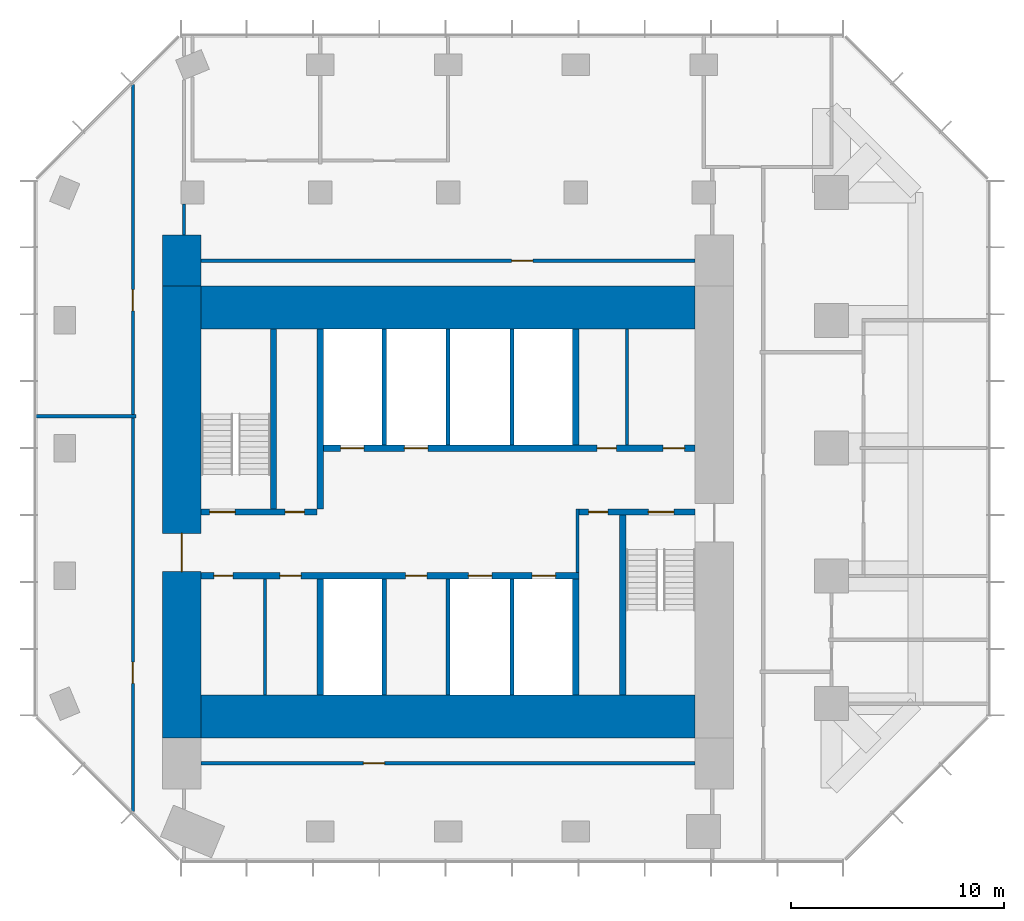
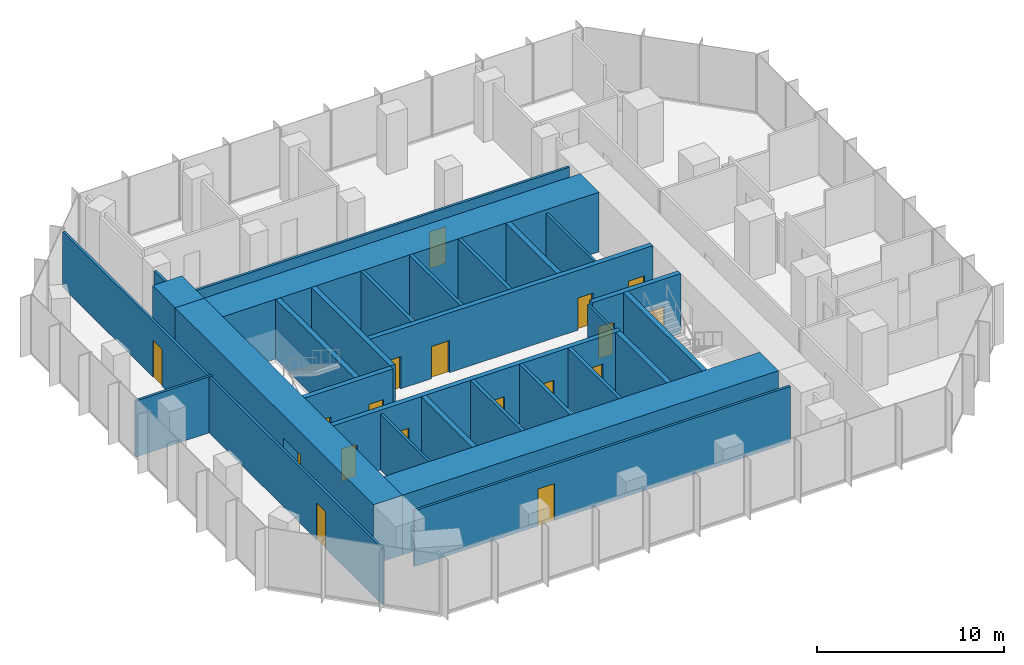
# One storey, part 8 of 11: 29 walls, 18 doors, 18 openings.
"""IFC4 building model written with IfcOpenShell, lengths in metres."""

from ifc_helpers import new_model, si_unit, direction, frame, frame_2d, origin, place, context, subcontext, project, spatial, rectangle, extrude, material, layer, layer_set, type_object, element, fill, save


model = new_model("IFC4")

# Units and contexts
model_context = context("Model", 3, precision=1e-05, world=origin(), true_north=direction((0.0, 1.0)))
body_context = subcontext(model_context, "Body", "Model", "MODEL_VIEW")
ifc_project = project(units=[si_unit("LENGTHUNIT", "METRE"), si_unit("AREAUNIT", "SQUARE_METRE"), si_unit("VOLUMEUNIT", "CUBIC_METRE"), si_unit("PLANEANGLEUNIT", "RADIAN"), si_unit("MASSUNIT", "GRAM", prefix="KILO")], contexts=[model_context])

# Site, building, storey
site_placement = place(None, origin())
site = spatial("IfcSite", under=ifc_project, at=site_placement, CompositionType="ELEMENT")
building_placement = place(site_placement, origin())
building = spatial("IfcBuilding", under=site, at=building_placement, Name="Highveld Stack Headquarters", CompositionType="ELEMENT")
storey_placement = place(building_placement, frame((0.0, 0.0, 260.60009765625)))
storey = spatial("IfcBuildingStorey", under=building, at=storey_placement, Name="L64", CompositionType="ELEMENT", Elevation=260.60009765625)

# Wall, opening, door
ifc_material_1 = material(Name="Concrete C60/75", Category="concrete")
ifc_layer_1 = layer(ifc_material_1, 1.800048828125)
ifc_layer_set_1 = layer_set([ifc_layer_1], Name="Concrete C60/75")
wall_type_1 = type_object("IfcWallType", Name="CORE WALL 1800 C60/75", PredefinedType="SHEAR", material=ifc_layer_set_1)
wall_1_placement = place(storey_placement, frame((-6.5, -7.60009765625, 0.0), z_axis=(0.0, 0.0, 1.0), x_axis=(0.0, 1.0, 0.0)))
wall_1 = element("IfcWall", 1, at=wall_1_placement, inside=storey, type_object=wall_type_1, Name="Core wall W L64", PredefinedType="SHEAR", context=body_context, shape_type="SweptSolid", body=[
    extrude(rectangle(XDim=21.2001953125, YDim=1.800048828125, at=frame_2d((10.60009765625, 0.0))), origin(), (0.0, 0.0, 1.0), 3.89990234375),
])
opening_1_placement = place(wall_1_placement, frame((7.800048828125, 0.0, 0.0)))
opening_1 = element("IfcOpeningElement", 2, at=opening_1_placement, cuts=wall_1, Name="Opening L64-01", PredefinedType="OPENING", context=body_context, shape_type="SweptSolid", body=[
    extrude(rectangle(XDim=1.800048828125, YDim=2.39990234375, at=frame_2d((0.89990234375, 1.199951171875))), frame((0.0, 0.909912109375, 0.0), z_axis=(0.0, -1.0, 0.0), x_axis=(1.0, 0.0, 0.0)), (0.0, 0.0, 1.0), 1.820068359375),
])
ifc_material_2 = material(Name="Steel fire door", Category="steel")
door_type_1 = type_object("IfcDoorType", Name="LOBBY FIRE DOOR D4 1800x2400", OperationType="DOUBLE_DOOR_SINGLE_SWING", PredefinedType="DOOR", material=ifc_material_2)
door_1_placement = place(opening_1_placement, origin())
door_1 = element("IfcDoor", 3, at=door_1_placement, inside=storey, type_object=door_type_1, Name="Core west door L64", OperationType="DOUBLE_DOOR_SINGLE_SWING", OverallHeight=2.39990234375, OverallWidth=1.800048828125, PredefinedType="DOOR", context=body_context, shape_type="SweptSolid", body=[
    extrude(rectangle(XDim=1.800048828125, YDim=2.39990234375, at=frame_2d((0.89990234375, 1.199951171875))), frame((0.0, 0.02490234375, 0.0), z_axis=(0.0, -1.0, 0.0), x_axis=(1.0, 0.0, 0.0)), (0.0, 0.0, 1.0), 0.050048828125),
])
fill(opening_1, door_1)

# Walls
ifc_material_3 = material(Name="Concrete C60/75", Category="concrete")
ifc_layer_2 = layer(ifc_material_3, 2.0)
ifc_layer_set_2 = layer_set([ifc_layer_2], Name="Concrete C60/75")
wall_type_2 = type_object("IfcWallType", Name="CORE WALL 2000 C60/75", PredefinedType="SHEAR", material=ifc_layer_set_2)
for number, where, z_axis, x_axis, name in (
    (4, (-5.60009765625, -6.60009765625, 0.0), (0.0, 0.0, 1.0), (1.0, 0.0, 0.0), "Core wall S L64"),
    (5, (-5.60009765625, 12.60009765625, 0.0), (0.0, 0.0, 1.0), (1.0, 0.0, 0.0), "Core wall N L64"),
):
    element("IfcWall", number, at=place(storey_placement, frame(where, z_axis=z_axis, x_axis=x_axis)), inside=storey, type_object=wall_type_2, Name=name, PredefinedType="SHEAR", context=body_context, shape_type="SweptSolid", body=[
        extrude(rectangle(XDim=23.2001953125, YDim=2.0, at=frame_2d((11.60009765625, 0.0))), origin(), (0.0, 0.0, 1.0), 3.89990234375),
    ])

# Wall, openings, doors
ifc_material_4 = material(Name="Concrete C60/75", Category="concrete")
ifc_layer_3 = layer(ifc_material_4, 0.300048828125)
ifc_layer_set_3 = layer_set([ifc_layer_3], Name="Concrete C60/75")
wall_type_3 = type_object("IfcWallType", Name="CORE WALL 300 C60/75", PredefinedType="SHEAR", material=ifc_layer_set_3)
wall_2_placement = place(storey_placement, frame((-5.60009765625, 0.0, 0.0), z_axis=(0.0, 0.0, 1.0), x_axis=(1.0, 0.0, 0.0)))
wall_2 = element("IfcWall", 6, at=wall_2_placement, inside=storey, type_object=wall_type_3, Name="Core wall I-Y0 L64", PredefinedType="SHEAR", context=body_context, shape_type="SweptSolid", body=[
    extrude(rectangle(XDim=17.75, YDim=0.300048828125, at=frame_2d((8.875, 0.0))), origin(), (0.0, 0.0, 1.0), 3.89990234375),
])
opening_2_placement = place(wall_2_placement, frame((0.60009765625, 0.0, 0.0)))
opening_2 = element("IfcOpeningElement", 7, at=opening_2_placement, cuts=wall_2, Name="Opening L64-07", PredefinedType="OPENING", context=body_context, shape_type="SweptSolid", body=[
    extrude(rectangle(XDim=0.89990234375, YDim=2.10009765625, at=frame_2d((0.449951171875, 1.050048828125))), frame((0.0, 0.159912109375, 0.0), z_axis=(0.0, -1.0, 0.0), x_axis=(1.0, 0.0, 0.0)), (0.0, 0.0, 1.0), 0.320068359375),
])
opening_3_placement = place(wall_2_placement, frame((3.699951171875, 0.0, 0.0)))
opening_3 = element("IfcOpeningElement", 8, at=opening_3_placement, cuts=wall_2, Name="Opening L64-08", PredefinedType="OPENING", context=body_context, shape_type="SweptSolid", body=[
    extrude(rectangle(XDim=1.0, YDim=2.10009765625, at=frame_2d((0.5, 1.050048828125))), frame((0.0, 0.159912109375, 0.0), z_axis=(0.0, -1.0, 0.0), x_axis=(1.0, 0.0, 0.0)), (0.0, 0.0, 1.0), 0.320068359375),
])
opening_4_placement = place(wall_2_placement, frame((9.60009765625, 0.0, 0.0)))
opening_4 = element("IfcOpeningElement", 9, at=opening_4_placement, cuts=wall_2, Name="Opening L64-11", PredefinedType="OPENING", context=body_context, shape_type="SweptSolid", body=[
    extrude(rectangle(XDim=1.0, YDim=2.10009765625, at=frame_2d((0.5, 1.050048828125))), frame((0.0, 0.159912109375, 0.0), z_axis=(0.0, -1.0, 0.0), x_axis=(1.0, 0.0, 0.0)), (0.0, 0.0, 1.0), 0.320068359375),
])
opening_5_placement = place(wall_2_placement, frame((12.550048828125, 0.0, 0.0)))
opening_5 = element("IfcOpeningElement", 10, at=opening_5_placement, cuts=wall_2, Name="Opening LD", PredefinedType="OPENING", context=body_context, shape_type="SweptSolid", body=[
    extrude(rectangle(XDim=1.10009765625, YDim=2.10009765625, at=frame_2d((0.550048828125, 1.050048828125))), frame((0.0, 0.159912109375, 0.0), z_axis=(0.0, -1.0, 0.0), x_axis=(1.0, 0.0, 0.0)), (0.0, 0.0, 1.0), 0.320068359375),
])
opening_6_placement = place(wall_2_placement, frame((15.550048828125, 0.0, 0.0)))
opening_6 = element("IfcOpeningElement", 11, at=opening_6_placement, cuts=wall_2, Name="Opening LD", PredefinedType="OPENING", context=body_context, shape_type="SweptSolid", body=[
    extrude(rectangle(XDim=1.10009765625, YDim=2.10009765625, at=frame_2d((0.550048828125, 1.050048828125))), frame((0.0, 0.159912109375, 0.0), z_axis=(0.0, -1.0, 0.0), x_axis=(1.0, 0.0, 0.0)), (0.0, 0.0, 1.0), 0.320068359375),
])
ifc_material_5 = material(Name="Steel fire door", Category="steel")
door_type_2 = type_object("IfcDoorType", Name="CORE ROOM FIRE DOOR D14 1000x2100", OperationType="SINGLE_SWING_LEFT", PredefinedType="DOOR", material=ifc_material_5)
door_2_placement = place(opening_3_placement, origin())
door_2 = element("IfcDoor", 12, at=door_2_placement, inside=storey, type_object=door_type_2, Name="Cleaners store door L64", OperationType="SINGLE_SWING_LEFT", OverallHeight=2.10009765625, OverallWidth=1.0, PredefinedType="DOOR", context=body_context, shape_type="SweptSolid", body=[
    extrude(rectangle(XDim=1.0, YDim=2.10009765625, at=frame_2d((0.5, 1.050048828125))), frame((0.0, 0.02490234375, 0.0), z_axis=(0.0, -1.0, 0.0), x_axis=(1.0, 0.0, 0.0)), (0.0, 0.0, 1.0), 0.050048828125),
])
fill(opening_3, door_2)
door_3_placement = place(opening_4_placement, origin())
door_3 = element("IfcDoor", 13, at=door_3_placement, inside=storey, type_object=door_type_2, Name="Capped B 1 door L64", OperationType="SINGLE_SWING_RIGHT", OverallHeight=2.10009765625, OverallWidth=1.0, PredefinedType="DOOR", context=body_context, shape_type="SweptSolid", body=[
    extrude(rectangle(XDim=1.0, YDim=2.10009765625, at=frame_2d((0.5, 1.050048828125))), frame((0.0, 0.02490234375, 0.0), z_axis=(0.0, -1.0, 0.0), x_axis=(1.0, 0.0, 0.0)), (0.0, 0.0, 1.0), 0.050048828125),
])
fill(opening_4, door_3)
ifc_material_6 = material(Name="Stainless steel lift landing door", Category="steel")
door_type_3 = type_object("IfcDoorType", Name="LIFT LANDING DOOR LD 1100x2100", OperationType="DOUBLE_DOOR_SLIDING", PredefinedType="USERDEFINED", material=ifc_material_6)
door_4_placement = place(opening_5_placement, origin())
door_4 = element("IfcDoor", 14, at=door_4_placement, inside=storey, type_object=door_type_3, Name="Lift landing door C1 L64", ObjectType="LIFT LANDING DOOR", OperationType="DOUBLE_DOOR_SLIDING", OverallHeight=2.10009765625, OverallWidth=1.10009765625, PredefinedType="USERDEFINED", context=body_context, shape_type="SweptSolid", body=[
    extrude(rectangle(XDim=1.10009765625, YDim=2.10009765625, at=frame_2d((0.550048828125, 1.050048828125))), frame((0.0, 0.02490234375, 0.0), z_axis=(0.0, -1.0, 0.0), x_axis=(1.0, 0.0, 0.0)), (0.0, 0.0, 1.0), 0.050048828125),
])
fill(opening_5, door_4)
door_5_placement = place(opening_6_placement, origin())
door_5 = element("IfcDoor", 15, at=door_5_placement, inside=storey, type_object=door_type_3, Name="Lift landing door C2 L64", ObjectType="LIFT LANDING DOOR", OperationType="DOUBLE_DOOR_SLIDING", OverallHeight=2.10009765625, OverallWidth=1.10009765625, PredefinedType="USERDEFINED", context=body_context, shape_type="SweptSolid", body=[
    extrude(rectangle(XDim=1.10009765625, YDim=2.10009765625, at=frame_2d((0.550048828125, 1.050048828125))), frame((0.0, 0.02490234375, 0.0), z_axis=(0.0, -1.0, 0.0), x_axis=(1.0, 0.0, 0.0)), (0.0, 0.0, 1.0), 0.050048828125),
])
fill(opening_6, door_5)
ifc_material_7 = material(Name="Timber door, painted", Category="wood")
door_type_4 = type_object("IfcDoorType", Name="WC DOOR D1 900x2100", OperationType="SINGLE_SWING_LEFT", PredefinedType="DOOR", material=ifc_material_7)
door_6_placement = place(opening_2_placement, origin())
door_6 = element("IfcDoor", 16, at=door_6_placement, inside=storey, type_object=door_type_4, Name="Female WC door L64", OperationType="SINGLE_SWING_LEFT", OverallHeight=2.10009765625, OverallWidth=0.89990234375, PredefinedType="DOOR", context=body_context, shape_type="SweptSolid", body=[
    extrude(rectangle(XDim=0.89990234375, YDim=2.10009765625, at=frame_2d((0.449951171875, 1.050048828125))), frame((0.0, 0.02490234375, 0.0), z_axis=(0.0, -1.0, 0.0), x_axis=(1.0, 0.0, 0.0)), (0.0, 0.0, 1.0), 0.050048828125),
])
fill(opening_2, door_6)

wall_3_placement = place(storey_placement, frame((-5.60009765625, 3.0, 0.0), z_axis=(0.0, 0.0, 1.0), x_axis=(1.0, 0.0, 0.0)))
wall_3 = element("IfcWall", 17, at=wall_3_placement, inside=storey, type_object=wall_type_3, Name="Core wall I-Y3W L64", PredefinedType="SHEAR", context=body_context, shape_type="SweptSolid", body=[
    extrude(rectangle(XDim=5.4501953125, YDim=0.300048828125, at=frame_2d((2.72509765625, 0.0))), origin(), (0.0, 0.0, 1.0), 3.89990234375),
])
opening_7_placement = place(wall_3_placement, frame((0.39990234375, 0.0, 0.0)))
opening_7 = element("IfcOpeningElement", 18, at=opening_7_placement, cuts=wall_3, Name="Opening L64-03", PredefinedType="OPENING", context=body_context, shape_type="SweptSolid", body=[
    extrude(rectangle(XDim=1.199951171875, YDim=2.10009765625, at=frame_2d((0.60009765625, 1.050048828125))), frame((0.0, 0.159912109375, 0.0), z_axis=(0.0, -1.0, 0.0), x_axis=(1.0, 0.0, 0.0)), (0.0, 0.0, 1.0), 0.320068359375),
])
opening_8_placement = place(wall_3_placement, frame((3.949951171875, 0.0, 0.0)))
opening_8 = element("IfcOpeningElement", 19, at=opening_8_placement, cuts=wall_3, Name="Opening L64-04", PredefinedType="OPENING", context=body_context, shape_type="SweptSolid", body=[
    extrude(rectangle(XDim=0.89990234375, YDim=2.10009765625, at=frame_2d((0.449951171875, 1.050048828125))), frame((0.0, 0.159912109375, 0.0), z_axis=(0.0, -1.0, 0.0), x_axis=(1.0, 0.0, 0.0)), (0.0, 0.0, 1.0), 0.320068359375),
])
ifc_material_8 = material(Name="Steel fire door", Category="steel")
door_type_5 = type_object("IfcDoorType", Name="RISER ACCESS DOOR D5 900x2100", OperationType="SINGLE_SWING_LEFT", PredefinedType="DOOR", material=ifc_material_8)
door_7_placement = place(opening_8_placement, origin())
door_7 = element("IfcDoor", 20, at=door_7_placement, inside=storey, type_object=door_type_5, Name="Riser R1 door L64", OperationType="SINGLE_SWING_RIGHT", OverallHeight=2.10009765625, OverallWidth=0.89990234375, PredefinedType="DOOR", context=body_context, shape_type="SweptSolid", body=[
    extrude(rectangle(XDim=0.89990234375, YDim=2.10009765625, at=frame_2d((0.449951171875, 1.050048828125))), frame((0.0, 0.02490234375, 0.0), z_axis=(0.0, -1.0, 0.0), x_axis=(1.0, 0.0, 0.0)), (0.0, 0.0, 1.0), 0.050048828125),
])
fill(opening_8, door_7)
ifc_material_9 = material(Name="Steel fire door", Category="steel")
door_type_6 = type_object("IfcDoorType", Name="STAIR FIRE DOOR D3 1200x2100", OperationType="SINGLE_SWING_LEFT", PredefinedType="DOOR", material=ifc_material_9)
door_8_placement = place(opening_7_placement, origin())
door_8 = element("IfcDoor", 21, at=door_8_placement, inside=storey, type_object=door_type_6, Name="Stair S1 door L64", OperationType="SINGLE_SWING_LEFT", OverallHeight=2.10009765625, OverallWidth=1.199951171875, PredefinedType="DOOR", context=body_context, shape_type="SweptSolid", body=[
    extrude(rectangle(XDim=1.199951171875, YDim=2.10009765625, at=frame_2d((0.60009765625, 1.050048828125))), frame((0.0, 0.02490234375, 0.0), z_axis=(0.0, -1.0, 0.0), x_axis=(1.0, 0.0, 0.0)), (0.0, 0.0, 1.0), 0.050048828125),
])
fill(opening_7, door_8)

wall_4_placement = place(storey_placement, frame((12.14990234375, 3.0, 0.0), z_axis=(0.0, 0.0, 1.0), x_axis=(1.0, 0.0, 0.0)))
wall_4 = element("IfcWall", 22, at=wall_4_placement, inside=storey, type_object=wall_type_3, Name="Core wall I-Y3E L64", PredefinedType="SHEAR", context=body_context, shape_type="SweptSolid", body=[
    extrude(rectangle(XDim=5.4501953125, YDim=0.300048828125, at=frame_2d((2.72509765625, 0.0))), origin(), (0.0, 0.0, 1.0), 3.89990234375),
])
opening_9_placement = place(wall_4_placement, frame((3.25, 0.0, 0.0)))
opening_9 = element("IfcOpeningElement", 23, at=opening_9_placement, cuts=wall_4, Name="Opening L64-05", PredefinedType="OPENING", context=body_context, shape_type="SweptSolid", body=[
    extrude(rectangle(XDim=1.199951171875, YDim=2.10009765625, at=frame_2d((0.60009765625, 1.050048828125))), frame((0.0, 0.159912109375, 0.0), z_axis=(0.0, -1.0, 0.0), x_axis=(1.0, 0.0, 0.0)), (0.0, 0.0, 1.0), 0.320068359375),
])
opening_10_placement = place(wall_4_placement, frame((0.449951171875, 0.0, 0.0)))
opening_10 = element("IfcOpeningElement", 24, at=opening_10_placement, cuts=wall_4, Name="Opening L64-06", PredefinedType="OPENING", context=body_context, shape_type="SweptSolid", body=[
    extrude(rectangle(XDim=0.89990234375, YDim=2.10009765625, at=frame_2d((0.449951171875, 1.050048828125))), frame((0.0, 0.159912109375, 0.0), z_axis=(0.0, -1.0, 0.0), x_axis=(1.0, 0.0, 0.0)), (0.0, 0.0, 1.0), 0.320068359375),
])
door_9_placement = place(opening_10_placement, origin())
door_9 = element("IfcDoor", 25, at=door_9_placement, inside=storey, type_object=door_type_5, Name="Riser R2 door L64", OperationType="SINGLE_SWING_LEFT", OverallHeight=2.10009765625, OverallWidth=0.89990234375, PredefinedType="DOOR", context=body_context, shape_type="SweptSolid", body=[
    extrude(rectangle(XDim=0.89990234375, YDim=2.10009765625, at=frame_2d((0.449951171875, 1.050048828125))), frame((0.0, 0.02490234375, 0.0), z_axis=(0.0, -1.0, 0.0), x_axis=(1.0, 0.0, 0.0)), (0.0, 0.0, 1.0), 0.050048828125),
])
fill(opening_10, door_9)
door_10_placement = place(opening_9_placement, origin())
door_10 = element("IfcDoor", 26, at=door_10_placement, inside=storey, type_object=door_type_6, Name="Stair S2 door L64", OperationType="SINGLE_SWING_RIGHT", OverallHeight=2.10009765625, OverallWidth=1.199951171875, PredefinedType="DOOR", context=body_context, shape_type="SweptSolid", body=[
    extrude(rectangle(XDim=1.199951171875, YDim=2.10009765625, at=frame_2d((0.60009765625, 1.050048828125))), frame((0.0, 0.02490234375, 0.0), z_axis=(0.0, -1.0, 0.0), x_axis=(1.0, 0.0, 0.0)), (0.0, 0.0, 1.0), 0.050048828125),
])
fill(opening_9, door_10)

wall_5_placement = place(storey_placement, frame((-0.14990234375, 6.0, 0.0), z_axis=(0.0, 0.0, 1.0), x_axis=(1.0, 0.0, 0.0)))
wall_5 = element("IfcWall", 27, at=wall_5_placement, inside=storey, type_object=wall_type_3, Name="Core wall I-Y6 L64", PredefinedType="SHEAR", context=body_context, shape_type="SweptSolid", body=[
    extrude(rectangle(XDim=17.75, YDim=0.300048828125, at=frame_2d((8.875, 0.0))), origin(), (0.0, 0.0, 1.0), 3.89990234375),
])
opening_11_placement = place(wall_5_placement, frame((13.14990234375, 0.0, 0.0)))
opening_11 = element("IfcOpeningElement", 28, at=opening_11_placement, cuts=wall_5, Name="Opening L64-09", PredefinedType="OPENING", context=body_context, shape_type="SweptSolid", body=[
    extrude(rectangle(XDim=0.89990234375, YDim=2.10009765625, at=frame_2d((0.449951171875, 1.050048828125))), frame((0.0, 0.159912109375, 0.0), z_axis=(0.0, -1.0, 0.0), x_axis=(1.0, 0.0, 0.0)), (0.0, 0.0, 1.0), 0.320068359375),
])
opening_12_placement = place(wall_5_placement, frame((16.25, 0.0, 0.0)))
opening_12 = element("IfcOpeningElement", 29, at=opening_12_placement, cuts=wall_5, Name="Opening L64-10", PredefinedType="OPENING", context=body_context, shape_type="SweptSolid", body=[
    extrude(rectangle(XDim=1.0, YDim=2.10009765625, at=frame_2d((0.5, 1.050048828125))), frame((0.0, 0.159912109375, 0.0), z_axis=(0.0, -1.0, 0.0), x_axis=(1.0, 0.0, 0.0)), (0.0, 0.0, 1.0), 0.320068359375),
])
opening_13_placement = place(wall_5_placement, frame((1.10009765625, 0.0, 0.0)))
opening_13 = element("IfcOpeningElement", 30, at=opening_13_placement, cuts=wall_5, Name="Opening LD", PredefinedType="OPENING", context=body_context, shape_type="SweptSolid", body=[
    extrude(rectangle(XDim=1.10009765625, YDim=2.10009765625, at=frame_2d((0.550048828125, 1.050048828125))), frame((0.0, 0.159912109375, 0.0), z_axis=(0.0, -1.0, 0.0), x_axis=(1.0, 0.0, 0.0)), (0.0, 0.0, 1.0), 0.320068359375),
])
opening_14_placement = place(wall_5_placement, frame((4.10009765625, 0.0, 0.0)))
opening_14 = element("IfcOpeningElement", 31, at=opening_14_placement, cuts=wall_5, Name="Opening LD", PredefinedType="OPENING", context=body_context, shape_type="SweptSolid", body=[
    extrude(rectangle(XDim=1.10009765625, YDim=2.10009765625, at=frame_2d((0.550048828125, 1.050048828125))), frame((0.0, 0.159912109375, 0.0), z_axis=(0.0, -1.0, 0.0), x_axis=(1.0, 0.0, 0.0)), (0.0, 0.0, 1.0), 0.320068359375),
])
ifc_material_10 = material(Name="Timber door, painted", Category="wood")
door_type_7 = type_object("IfcDoorType", Name="ACCESSIBLE WC DOOR D2 1000x2100", OperationType="SINGLE_SWING_RIGHT", PredefinedType="DOOR", material=ifc_material_10)
door_11_placement = place(opening_12_placement, origin())
door_11 = element("IfcDoor", 32, at=door_11_placement, inside=storey, type_object=door_type_7, Name="Accessible WC door L64", OperationType="SINGLE_SWING_RIGHT", OverallHeight=2.10009765625, OverallWidth=1.0, PredefinedType="DOOR", context=body_context, shape_type="SweptSolid", body=[
    extrude(rectangle(XDim=1.0, YDim=2.10009765625, at=frame_2d((0.5, 1.050048828125))), frame((0.0, 0.02490234375, 0.0), z_axis=(0.0, -1.0, 0.0), x_axis=(1.0, 0.0, 0.0)), (0.0, 0.0, 1.0), 0.050048828125),
])
fill(opening_12, door_11)
door_12_placement = place(opening_13_placement, origin())
door_12 = element("IfcDoor", 33, at=door_12_placement, inside=storey, type_object=door_type_3, Name="Lift landing door FF1 L64", ObjectType="LIFT LANDING DOOR", OperationType="DOUBLE_DOOR_SLIDING", OverallHeight=2.10009765625, OverallWidth=1.10009765625, PredefinedType="USERDEFINED", context=body_context, shape_type="SweptSolid", body=[
    extrude(rectangle(XDim=1.10009765625, YDim=2.10009765625, at=frame_2d((0.550048828125, 1.050048828125))), frame((0.0, 0.02490234375, 0.0), z_axis=(0.0, -1.0, 0.0), x_axis=(1.0, 0.0, 0.0)), (0.0, 0.0, 1.0), 0.050048828125),
])
fill(opening_13, door_12)
door_13_placement = place(opening_14_placement, origin())
door_13 = element("IfcDoor", 34, at=door_13_placement, inside=storey, type_object=door_type_3, Name="Lift landing door FF2 L64", ObjectType="LIFT LANDING DOOR", OperationType="DOUBLE_DOOR_SLIDING", OverallHeight=2.10009765625, OverallWidth=1.10009765625, PredefinedType="USERDEFINED", context=body_context, shape_type="SweptSolid", body=[
    extrude(rectangle(XDim=1.10009765625, YDim=2.10009765625, at=frame_2d((0.550048828125, 1.050048828125))), frame((0.0, 0.02490234375, 0.0), z_axis=(0.0, -1.0, 0.0), x_axis=(1.0, 0.0, 0.0)), (0.0, 0.0, 1.0), 0.050048828125),
])
fill(opening_14, door_13)
door_14_placement = place(opening_11_placement, origin())
door_14 = element("IfcDoor", 35, at=door_14_placement, inside=storey, type_object=door_type_4, Name="Male WC door L64", OperationType="SINGLE_SWING_RIGHT", OverallHeight=2.10009765625, OverallWidth=0.89990234375, PredefinedType="DOOR", context=body_context, shape_type="SweptSolid", body=[
    extrude(rectangle(XDim=0.89990234375, YDim=2.10009765625, at=frame_2d((0.449951171875, 1.050048828125))), frame((0.0, 0.02490234375, 0.0), z_axis=(0.0, -1.0, 0.0), x_axis=(1.0, 0.0, 0.0)), (0.0, 0.0, 1.0), 0.050048828125),
])
fill(opening_11, door_14)

# Walls
wall_6_placement = place(storey_placement, frame((0.0, -5.60009765625, 0.0), z_axis=(0.0, 0.0, 1.0), x_axis=(0.0, 1.0, 0.0)))
element("IfcWall", 36, at=wall_6_placement, inside=storey, type_object=wall_type_3, Name="Core wall I-X0S L64", PredefinedType="SHEAR", context=body_context, shape_type="SweptSolid", body=[
    extrude(rectangle(XDim=5.4501953125, YDim=0.300048828125, at=frame_2d((2.72509765625, 0.0))), origin(), (0.0, 0.0, 1.0), 3.89990234375),
])
wall_7_placement = place(storey_placement, frame((0.0, 3.14990234375, 0.0), z_axis=(0.0, 0.0, 1.0), x_axis=(0.0, 1.0, 0.0)))
element("IfcWall", 37, at=wall_7_placement, inside=storey, type_object=wall_type_3, Name="Core wall I-X0N L64", PredefinedType="SHEAR", context=body_context, shape_type="SweptSolid", body=[
    extrude(rectangle(XDim=8.4501953125, YDim=0.300048828125, at=frame_2d((4.22509765625, 0.0))), origin(), (0.0, 0.0, 1.0), 3.89990234375),
])
for number, where, z_axis, x_axis, name in (
    (38, (12.0, -5.60009765625, 0.0), (0.0, 0.0, 1.0), (0.0, 1.0, 0.0), "Core wall I-X12S L64"),
    (39, (12.0, 6.14990234375, 0.0), (0.0, 0.0, 1.0), (0.0, 1.0, 0.0), "Core wall I-X12N L64"),
):
    element("IfcWall", number, at=place(storey_placement, frame(where, z_axis=z_axis, x_axis=x_axis)), inside=storey, type_object=wall_type_3, Name=name, PredefinedType="SHEAR", context=body_context, shape_type="SweptSolid", body=[
        extrude(rectangle(XDim=5.4501953125, YDim=0.300048828125, at=frame_2d((2.72509765625, 0.0))), origin(), (0.0, 0.0, 1.0), 3.89990234375),
    ])
for number, where, z_axis, x_axis, name in (
    (40, (-2.199951171875, 3.14990234375, 0.0), (0.0, 0.0, 1.0), (0.0, 1.0, 0.0), "Core wall I-RW L64"),
    (41, (14.199951171875, -5.60009765625, 0.0), (0.0, 0.0, 1.0), (0.0, 1.0, 0.0), "Core wall I-RE L64"),
):
    element("IfcWall", number, at=place(storey_placement, frame(where, z_axis=z_axis, x_axis=x_axis)), inside=storey, type_object=wall_type_3, Name=name, PredefinedType="SHEAR", context=body_context, shape_type="SweptSolid", body=[
        extrude(rectangle(XDim=8.4501953125, YDim=0.300048828125, at=frame_2d((4.22509765625, 0.0))), origin(), (0.0, 0.0, 1.0), 3.89990234375),
    ])
ifc_material_11 = material(Name="Concrete C60/75", Category="concrete")
ifc_layer_4 = layer(ifc_material_11, 1.800048828125)
ifc_layer_set_4 = layer_set([ifc_layer_4], Name="Concrete C60/75")
wall_type_4 = type_object("IfcWallType", Name="CORE WING WALL 1800 C60/75", PredefinedType="SHEAR", material=ifc_layer_set_4)
wall_8_placement = place(storey_placement, frame((-6.5, 13.60009765625, 0.0), z_axis=(0.0, 0.0, 1.0), x_axis=(0.0, 1.0, 0.0)))
element("IfcWall", 42, at=wall_8_placement, inside=storey, type_object=wall_type_4, Name="Core wing wall WN L64", PredefinedType="SHEAR", context=body_context, shape_type="SweptSolid", body=[
    extrude(rectangle(XDim=2.39990234375, YDim=1.800048828125, at=frame_2d((1.199951171875, 0.0))), origin(), (0.0, 0.0, 1.0), 3.89990234375),
])
ifc_material_12 = material(Name="Concrete blockwork, plastered", Category="masonry")
ifc_layer_5 = layer(ifc_material_12, 0.14990234375)
ifc_layer_set_5 = layer_set([ifc_layer_5], Name="Concrete blockwork, plastered")
wall_type_5 = type_object("IfcWallType", Name="FIRE PARTITION 150 BLOCKWORK", PredefinedType="PARTITIONING", material=ifc_layer_set_5)
wall_9_placement = place(storey_placement, frame((12.074951171875, 0.14990234375, 0.0), z_axis=(0.0, 0.0, 1.0), x_axis=(0.0, 1.0, 0.0)))
element("IfcWall", 43, at=wall_9_placement, inside=storey, type_object=wall_type_5, Name="Riser R2 enclosure L64", PredefinedType="PARTITIONING", context=body_context, shape_type="SweptSolid", body=[
    extrude(rectangle(XDim=3.0, YDim=0.14990234375, at=frame_2d((1.5, 0.0))), origin(), (0.0, 0.0, 1.0), 3.64990234375),
])
ifc_material_13 = material(Name="Concrete blockwork, fair-faced", Category="masonry")
ifc_layer_6 = layer(ifc_material_13, 0.199951171875)
ifc_layer_set_6 = layer_set([ifc_layer_6], Name="Concrete blockwork, fair-faced")
wall_type_6 = type_object("IfcWallType", Name="LIFT SHAFT ENCLOSURE WALL 200 BLOCKWORK", PredefinedType="SOLIDWALL", material=ifc_layer_set_6)
for number, where, z_axis, x_axis, name in (
    (44, (3.0, 6.14990234375, 0.0), (0.0, 0.0, 1.0), (0.0, 1.0, 0.0), "Lift shaft wall L64"),
    (45, (6.0, 6.14990234375, 0.0), (0.0, 0.0, 1.0), (0.0, 1.0, 0.0), "Lift shaft wall L64"),
    (46, (9.0, 6.14990234375, 0.0), (0.0, 0.0, 1.0), (0.0, 1.0, 0.0), "Lift shaft wall L64"),
    (47, (3.0, -5.60009765625, 0.0), (0.0, 0.0, 1.0), (0.0, 1.0, 0.0), "Lift shaft wall L64"),
    (48, (6.0, -5.60009765625, 0.0), (0.0, 0.0, 1.0), (0.0, 1.0, 0.0), "Lift shaft wall L64"),
    (49, (9.0, -5.60009765625, 0.0), (0.0, 0.0, 1.0), (0.0, 1.0, 0.0), "Lift shaft wall L64"),
):
    element("IfcWall", number, at=place(storey_placement, frame(where, z_axis=z_axis, x_axis=x_axis)), inside=storey, type_object=wall_type_6, Name=name, PredefinedType="SOLIDWALL", context=body_context, shape_type="SweptSolid", body=[
        extrude(rectangle(XDim=5.4501953125, YDim=0.199951171875, at=frame_2d((2.72509765625, 0.0))), origin(), (0.0, 0.0, 1.0), 3.89990234375),
    ])
ifc_material_14 = material(Name="Gypsum plasterboard on steel studs", Category="steel")
ifc_layer_7 = layer(ifc_material_14, 0.14990234375)
ifc_layer_set_7 = layer_set([ifc_layer_7], Name="Gypsum plasterboard on steel studs")
wall_type_7 = type_object("IfcWallType", Name="PARTITION 150 PLASTERBOARD", PredefinedType="PARTITIONING", material=ifc_layer_set_7)
wall_10_placement = place(storey_placement, frame((-13.375, 7.5, 0.0), z_axis=(0.0, 0.0, 1.0), x_axis=(1.0, 0.0, 0.0)))
element("IfcWall", 50, at=wall_10_placement, inside=storey, type_object=wall_type_7, Name="Partition office neighbourhood L64", PredefinedType="PARTITIONING", context=body_context, shape_type="SweptSolid", body=[
    extrude(rectangle(XDim=4.72509765625, YDim=0.14990234375, at=frame_2d((2.362548828125, 0.0))), origin(), (0.0, 0.0, 1.0), 3.64990234375),
])

# Wall, opening, door
wall_11_placement = place(storey_placement, frame((-8.800048828125, -11.06298828125, 0.0), z_axis=(0.0, 0.0, 1.0), x_axis=(0.0, 1.0, 0.0)))
wall_11 = element("IfcWall", 51, at=wall_11_placement, inside=storey, type_object=wall_type_7, Name="Partition office neighbourhood L64", PredefinedType="PARTITIONING", context=body_context, shape_type="SweptSolid", body=[
    extrude(rectangle(XDim=18.488037109375, YDim=0.14990234375, at=frame_2d((9.244140625, 0.0))), origin(), (0.0, 0.0, 1.0), 3.64990234375),
])
opening_15_placement = place(wall_11_placement, frame((6.012939453125, 0.0, 0.0)))
opening_15 = element("IfcOpeningElement", 52, at=opening_15_placement, cuts=wall_11, Name="Opening L64-21", PredefinedType="OPENING", context=body_context, shape_type="SweptSolid", body=[
    extrude(rectangle(XDim=1.0, YDim=2.39990234375, at=frame_2d((0.5, 1.199951171875))), frame((0.0, 0.0849609375, 0.0), z_axis=(0.0, -1.0, 0.0), x_axis=(1.0, 0.0, 0.0)), (0.0, 0.0, 1.0), 0.169921875),
])
ifc_material_15 = material(Name="Timber door, oiled ash", Category="wood")
door_type_8 = type_object("IfcDoorType", Name="ROOM DOOR D11 1000x2400", OperationType="SINGLE_SWING_LEFT", PredefinedType="DOOR", material=ifc_material_15)
door_15_placement = place(opening_15_placement, origin())
door_15 = element("IfcDoor", 53, at=door_15_placement, inside=storey, type_object=door_type_8, Name="Office neighbourhood door L64", OperationType="SINGLE_SWING_LEFT", OverallHeight=2.39990234375, OverallWidth=1.0, PredefinedType="DOOR", context=body_context, shape_type="SweptSolid", body=[
    extrude(rectangle(XDim=1.0, YDim=2.39990234375, at=frame_2d((0.5, 1.199951171875))), frame((0.0, 0.02490234375, 0.0), z_axis=(0.0, -1.0, 0.0), x_axis=(1.0, 0.0, 0.0)), (0.0, 0.0, 1.0), 0.050048828125),
])
fill(opening_15, door_15)

wall_12_placement = place(storey_placement, frame((-8.800048828125, 7.574951171875, 0.0), z_axis=(0.0, 0.0, 1.0), x_axis=(0.0, 1.0, 0.0)))
wall_12 = element("IfcWall", 54, at=wall_12_placement, inside=storey, type_object=wall_type_7, Name="Partition office neighbourhood L64", PredefinedType="PARTITIONING", context=body_context, shape_type="SweptSolid", body=[
    extrude(rectangle(XDim=15.488037109375, YDim=0.14990234375, at=frame_2d((7.744140625, 0.0))), origin(), (0.0, 0.0, 1.0), 3.64990234375),
])
opening_16_placement = place(wall_12_placement, frame((4.863037109375, 0.0, 0.0)))
opening_16 = element("IfcOpeningElement", 55, at=opening_16_placement, cuts=wall_12, Name="Opening L64-23", PredefinedType="OPENING", context=body_context, shape_type="SweptSolid", body=[
    extrude(rectangle(XDim=1.0, YDim=2.39990234375, at=frame_2d((0.5, 1.199951171875))), frame((0.0, 0.0849609375, 0.0), z_axis=(0.0, -1.0, 0.0), x_axis=(1.0, 0.0, 0.0)), (0.0, 0.0, 1.0), 0.169921875),
])
door_16_placement = place(opening_16_placement, origin())
door_16 = element("IfcDoor", 56, at=door_16_placement, inside=storey, type_object=door_type_8, Name="Office neighbourhood door L64", OperationType="SINGLE_SWING_LEFT", OverallHeight=2.39990234375, OverallWidth=1.0, PredefinedType="DOOR", context=body_context, shape_type="SweptSolid", body=[
    extrude(rectangle(XDim=1.0, YDim=2.39990234375, at=frame_2d((0.5, 1.199951171875))), frame((0.0, 0.02490234375, 0.0), z_axis=(0.0, -1.0, 0.0), x_axis=(1.0, 0.0, 0.0)), (0.0, 0.0, 1.0), 0.050048828125),
])
fill(opening_16, door_16)

# Wall
wall_13_placement = place(storey_placement, frame((-6.39990234375, 16.0, 0.0), z_axis=(0.0, 0.0, 1.0), x_axis=(0.0, 1.0, 0.0)))
element("IfcWall", 57, at=wall_13_placement, inside=storey, type_object=wall_type_7, Name="Partition office neighbourhood L64", PredefinedType="PARTITIONING", context=body_context, shape_type="SweptSolid", body=[
    extrude(rectangle(XDim=1.449951171875, YDim=0.14990234375, at=frame_2d((0.72509765625, 0.0))), origin(), (0.0, 0.0, 1.0), 3.64990234375),
])

# Wall, opening, door
wall_14_placement = place(storey_placement, frame((-5.60009765625, -8.800048828125, 0.0), z_axis=(0.0, 0.0, 1.0), x_axis=(1.0, 0.0, 0.0)))
wall_14 = element("IfcWall", 58, at=wall_14_placement, inside=storey, type_object=wall_type_7, Name="Partition office neighbourhood L64", PredefinedType="PARTITIONING", context=body_context, shape_type="SweptSolid", body=[
    extrude(rectangle(XDim=23.2001953125, YDim=0.14990234375, at=frame_2d((11.60009765625, 0.0))), origin(), (0.0, 0.0, 1.0), 3.64990234375),
])
opening_17_placement = place(wall_14_placement, frame((7.6201171875, 0.0, 0.0)))
opening_17 = element("IfcOpeningElement", 59, at=opening_17_placement, cuts=wall_14, Name="Opening L64-19", PredefinedType="OPENING", context=body_context, shape_type="SweptSolid", body=[
    extrude(rectangle(XDim=1.0, YDim=2.39990234375, at=frame_2d((0.5, 1.199951171875))), frame((0.0, 0.0849609375, 0.0), z_axis=(0.0, -1.0, 0.0), x_axis=(1.0, 0.0, 0.0)), (0.0, 0.0, 1.0), 0.169921875),
])
door_17_placement = place(opening_17_placement, origin())
door_17 = element("IfcDoor", 60, at=door_17_placement, inside=storey, type_object=door_type_8, Name="Office neighbourhood door L64", OperationType="SINGLE_SWING_LEFT", OverallHeight=2.39990234375, OverallWidth=1.0, PredefinedType="DOOR", context=body_context, shape_type="SweptSolid", body=[
    extrude(rectangle(XDim=1.0, YDim=2.39990234375, at=frame_2d((0.5, 1.199951171875))), frame((0.0, 0.02490234375, 0.0), z_axis=(0.0, -1.0, 0.0), x_axis=(1.0, 0.0, 0.0)), (0.0, 0.0, 1.0), 0.050048828125),
])
fill(opening_17, door_17)

wall_15_placement = place(storey_placement, frame((-5.60009765625, 14.800048828125, 0.0), z_axis=(0.0, 0.0, 1.0), x_axis=(1.0, 0.0, 0.0)))
wall_15 = element("IfcWall", 61, at=wall_15_placement, inside=storey, type_object=wall_type_7, Name="Partition office neighbourhood L64", PredefinedType="PARTITIONING", context=body_context, shape_type="SweptSolid", body=[
    extrude(rectangle(XDim=23.2001953125, YDim=0.14990234375, at=frame_2d((11.60009765625, 0.0))), origin(), (0.0, 0.0, 1.0), 3.64990234375),
])
opening_18_placement = place(wall_15_placement, frame((14.580078125, 0.0, 0.0)))
opening_18 = element("IfcOpeningElement", 62, at=opening_18_placement, cuts=wall_15, Name="Opening L64-25", PredefinedType="OPENING", context=body_context, shape_type="SweptSolid", body=[
    extrude(rectangle(XDim=1.0, YDim=2.39990234375, at=frame_2d((0.5, 1.199951171875))), frame((0.0, 0.0849609375, 0.0), z_axis=(0.0, -1.0, 0.0), x_axis=(1.0, 0.0, 0.0)), (0.0, 0.0, 1.0), 0.169921875),
])
door_18_placement = place(opening_18_placement, origin())
door_18 = element("IfcDoor", 63, at=door_18_placement, inside=storey, type_object=door_type_8, Name="Office neighbourhood door L64", OperationType="SINGLE_SWING_RIGHT", OverallHeight=2.39990234375, OverallWidth=1.0, PredefinedType="DOOR", context=body_context, shape_type="SweptSolid", body=[
    extrude(rectangle(XDim=1.0, YDim=2.39990234375, at=frame_2d((0.5, 1.199951171875))), frame((0.0, 0.02490234375, 0.0), z_axis=(0.0, -1.0, 0.0), x_axis=(1.0, 0.0, 0.0)), (0.0, 0.0, 1.0), 0.050048828125),
])
fill(opening_18, door_18)

# Walls
ifc_material_16 = material(Name="Concrete blockwork, tiled", Category="masonry")
ifc_layer_8 = layer(ifc_material_16, 0.14990234375)
ifc_layer_set_8 = layer_set([ifc_layer_8], Name="Concrete blockwork, tiled")
wall_type_8 = type_object("IfcWallType", Name="WC PARTITION 150", PredefinedType="PLUMBINGWALL", material=ifc_layer_set_8)
for number, where, z_axis, x_axis, name in (
    (64, (-2.60009765625, -5.60009765625, 0.0), (0.0, 0.0, 1.0), (0.0, 1.0, 0.0), "Toilet partition L64"),
    (65, (14.39990234375, 6.14990234375, 0.0), (0.0, 0.0, 1.0), (0.0, 1.0, 0.0), "Toilet partition L64"),
):
    element("IfcWall", number, at=place(storey_placement, frame(where, z_axis=z_axis, x_axis=x_axis)), inside=storey, type_object=wall_type_8, Name=name, PredefinedType="PLUMBINGWALL", context=body_context, shape_type="SweptSolid", body=[
        extrude(rectangle(XDim=5.4501953125, YDim=0.14990234375, at=frame_2d((2.72509765625, 0.0))), origin(), (0.0, 0.0, 1.0), 3.64990234375),
    ])

save(model, "model.ifc")
